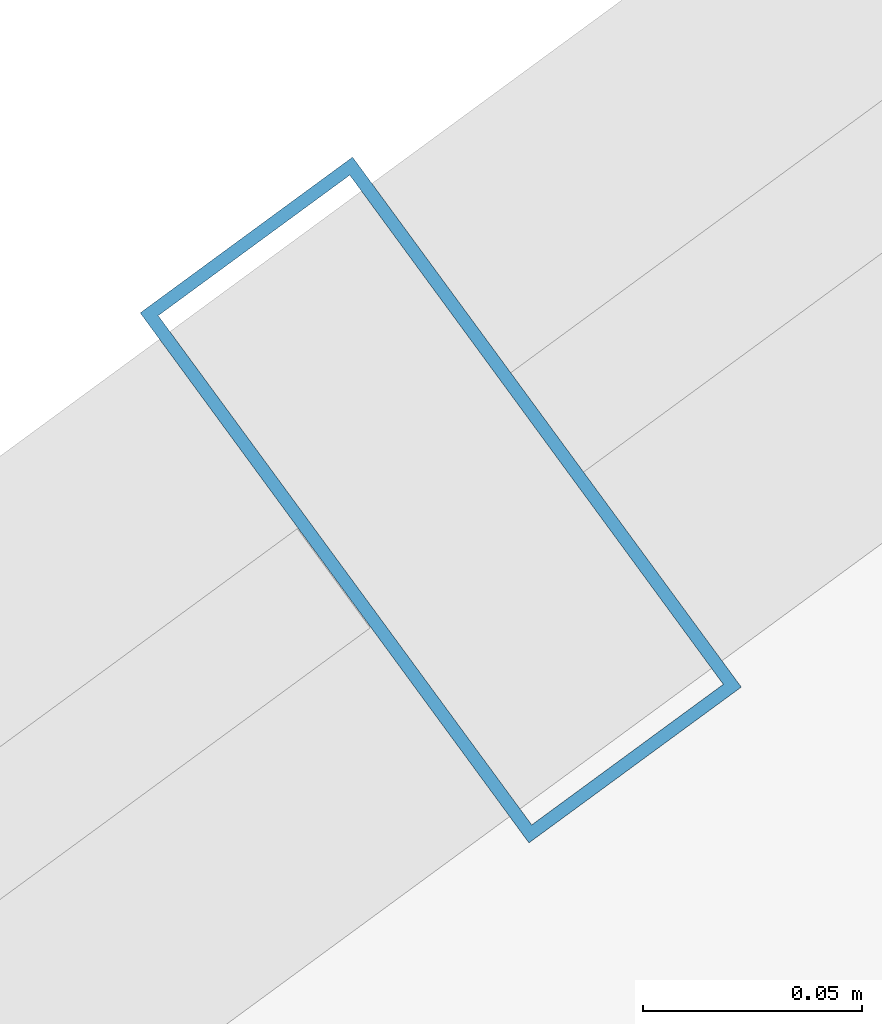
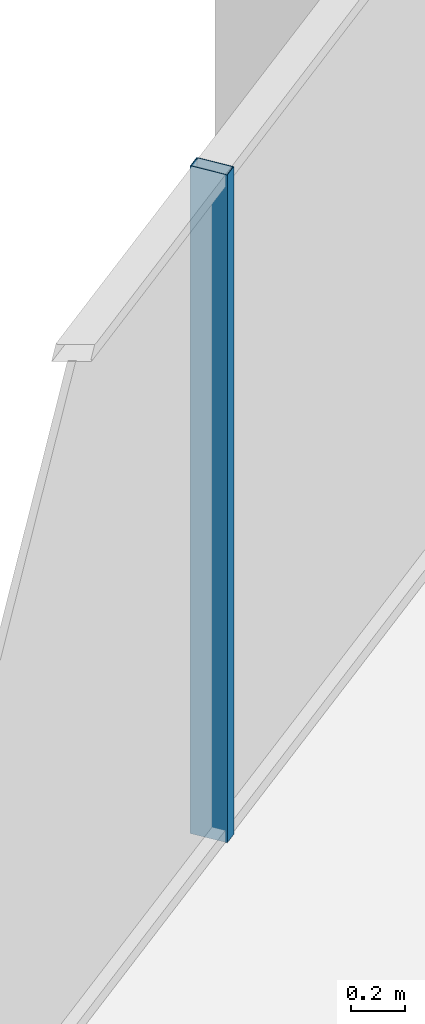
# One storey, part 21 of 32: 1 member, 1 element without a shape of its own.
"""IFC4 building model written with IfcOpenShell, lengths in metres."""

from ifc_helpers import new_model, si_unit, direction, frame, origin, origin_2d, place, context, subcontext, project, spatial, hollow_rectangle, extrude, source, transform, mapped, material, layer, layer_set, material_profile, profile_set, type_object, element, aggregate, save


model = new_model("IFC4")

# Units and contexts
model_context = context("Model", 3, precision=1e-05, world=origin(), true_north=direction((0.0, 1.0)))
body_context = subcontext(model_context, "Body", "Model", "MODEL_VIEW")
ifc_project = project(units=[si_unit("LENGTHUNIT", "METRE"), si_unit("AREAUNIT", "SQUARE_METRE"), si_unit("VOLUMEUNIT", "CUBIC_METRE"), si_unit("PLANEANGLEUNIT", "RADIAN"), si_unit("MASSUNIT", "GRAM", prefix="KILO")], contexts=[model_context])

# Site, building, storey
site_placement = place(None, origin())
site = spatial("IfcSite", under=ifc_project, at=site_placement, CompositionType="ELEMENT")
building_placement = place(site_placement, origin())
building = spatial("IfcBuilding", under=site, at=building_placement, Name="Veraguas Prism Commons", CompositionType="ELEMENT")
storey_placement = place(building_placement, frame((0.0, 0.0, 185.35009765625)))
storey = spatial("IfcBuildingStorey", under=building, at=storey_placement, Name="L52", CompositionType="ELEMENT", Elevation=185.35009765625)

# Curtain wall, member
ifc_material = material(Name="Anodised aluminium EN AW-6063 T6", Category="aluminium")
ifc_layer = layer(ifc_material, 0.14990234375, Name="Unitised Flush Curtain Wall Zone 3", Category="aluminium")
ifc_layer_set = layer_set([ifc_layer], Name="Anodised aluminium EN AW-6063 T6")
curtain_wall_type = type_object("IfcCurtainWallType", Name="Unitised Flush Curtain Wall Zone 3", PredefinedType="NOTDEFINED", material=ifc_layer_set)
curtain_wall_placement = place(storey_placement, origin())
curtain_wall = element("IfcCurtainWall", 1, at=curtain_wall_placement, inside=storey, type_object=curtain_wall_type, Name="Tower Facade Curtain Wall L52-F2", PredefinedType="NOTDEFINED")
ifc_material_profile = material_profile(ifc_material, hollow_rectangle(XDim=0.06005859375, YDim=0.14990234375, WallThickness=0.0029296875, at=origin_2d()), Name="AL60X150X3")
ifc_profile_set = profile_set([ifc_material_profile], Name="Anodised aluminium EN AW-6063 T6")
member_type = type_object("IfcMemberType", Name="Curtain Wall Mullion Upper AL 60x150x3", PredefinedType="MULLION", material=ifc_profile_set)
shared_shape = source(origin(), body_context, "Body", "SweptSolid", [
    extrude(hollow_rectangle(XDim=0.06005859375, YDim=0.14990234375, WallThickness=0.0029296875, at=origin_2d()), origin(), (0.0, 0.0, 1.0), 3.014892578125),
])
member_placement = place(storey_placement, frame((13.525390625, 38.280517578125, 0.0), z_axis=(0.0, 0.0, 1.0), x_axis=(-0.806341388983, -0.591450390493, 0.0)))
member = element("IfcMember", 2, at=member_placement, type_object=member_type, Name="CW-Z3 Mullion 3", PredefinedType="MULLION", context=body_context, shape_type="MappedRepresentation", body=[
    mapped(shared_shape, transform((0.0, 0.0, 0.0), scale=1.0)),
])
aggregate(curtain_wall, [member])

save(model, "model.ifc")
